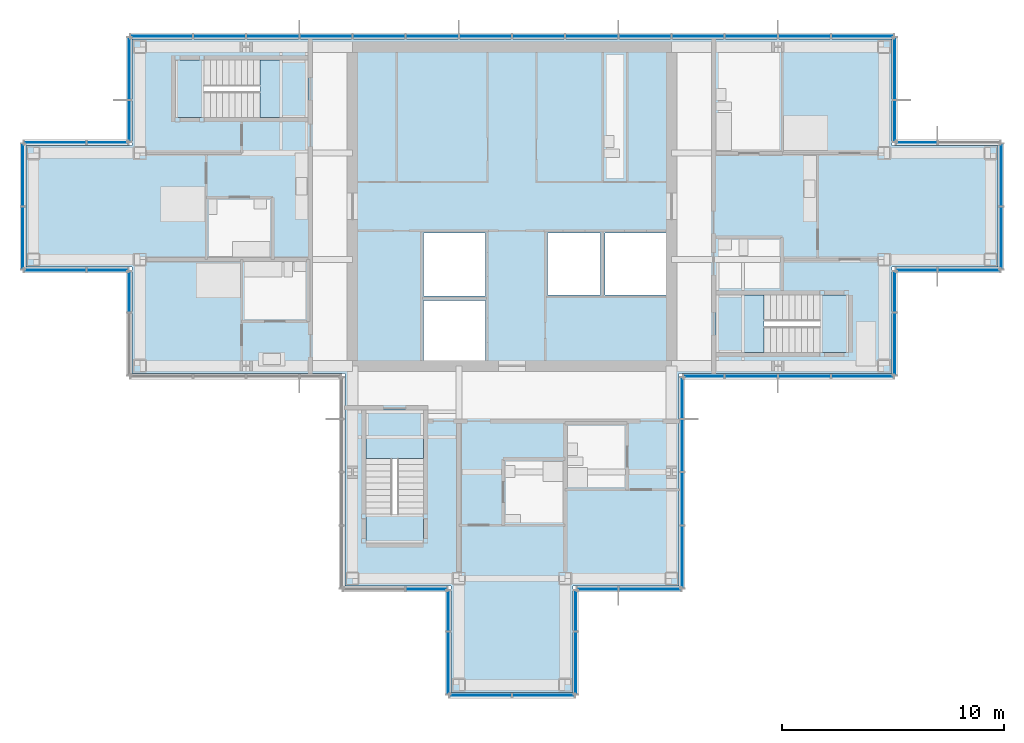
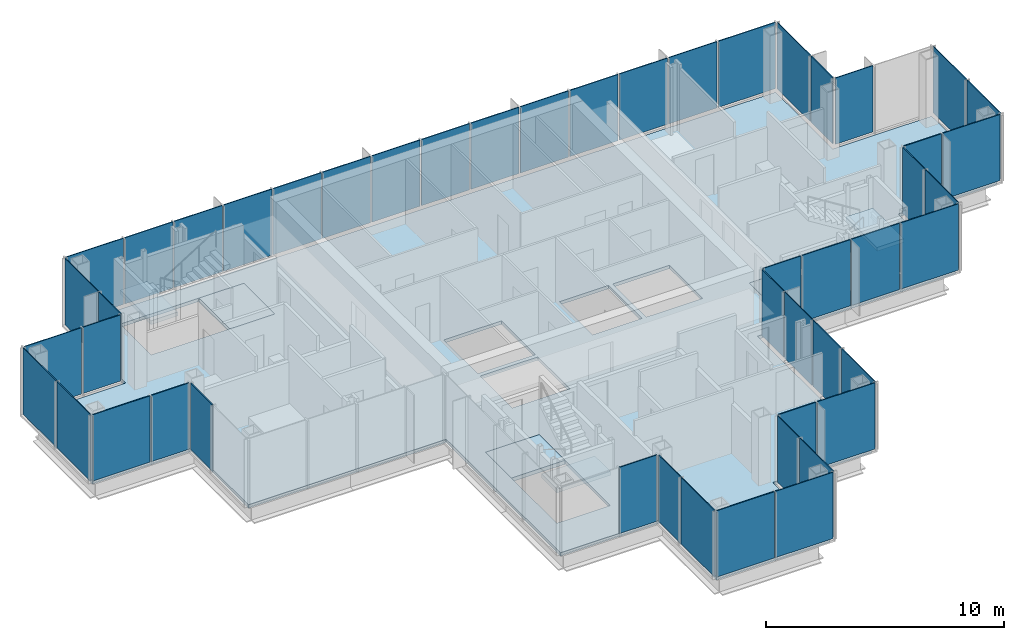
# One storey, part 9 of 15: 49 plates, 7 slabs, 21 elements without a shape of their own.
"""IFC4 building model written with IfcOpenShell, lengths in metres."""

import ifcopenshell
import ifcopenshell.guid

model = None  # the IFC model being written
_history = None  # IfcOwnerHistory: only IFC2X3 demands one
_inside = {}  # id of a spatial element -> (the spatial element, [elements in it])
_under = {}  # id of a project, library or spatial element -> (it, [spatial elements below it])
_declared = {}  # id of a project -> (the project, [libraries it declares])
_typed = {}  # id of a type object -> (the type object, [elements of that type])
_made_of = {}  # id of a material, layer set ... -> (it, [elements and type objects made of it])


def new_model(schema):
    """Start an empty IFC model of exactly this schema.

    Asked for "IFC4X3", IfcOpenShell would pick the latest addendum, in which some entities
    have other attributes; the version numbers below select the first issue.
    IFC2X3 requires an IfcOwnerHistory on every rooted entity: one is made here for all.
    """
    global model, _history
    if schema == "IFC4X3":
        model = ifcopenshell.file(schema_version=(4, 3, 0, 0))
    else:
        model = ifcopenshell.file(schema=schema)
    _inside.clear()
    _under.clear()
    _declared.clear()
    _typed.clear()
    _made_of.clear()
    _history = None
    if model.schema == "IFC2X3":
        org = make("IfcOrganization", Name="unknown")
        user = make(
            "IfcPersonAndOrganization",
            ThePerson=make("IfcPerson", FamilyName="unknown"),
            TheOrganization=org,
        )
        app = make(
            "IfcApplication",
            ApplicationDeveloper=org,
            Version="unknown",
            ApplicationFullName="unknown",
            ApplicationIdentifier="unknown",
        )
        _history = make(
            "IfcOwnerHistory",
            OwningUser=user,
            OwningApplication=app,
            ChangeAction="ADDED",
            CreationDate=0,
        )
    return model


def make(cls, **values):
    """One entity of the class cls with the attributes given. An attribute that is None is left unset."""
    return model.create_entity(
        cls, **{name: value for name, value in values.items() if value is not None}
    )


def rooted(cls, **values):
    """An entity with a GlobalId (a new one), such as an element, a storey or a relation."""
    return make(cls, GlobalId=ifcopenshell.guid.new(), OwnerHistory=_history, **values)


def si_unit(unit_type, name, prefix=None):
    """IfcSIUnit, for example si_unit("LENGTHUNIT", "METRE", prefix="MILLI")."""
    return make("IfcSIUnit", UnitType=unit_type, Prefix=prefix, Name=name)


def assignment(units):
    """IfcUnitAssignment: the units of a project."""
    return None if units is None else make("IfcUnitAssignment", Units=units)


def point(xyz):
    """IfcCartesianPoint."""
    return None if xyz is None else make("IfcCartesianPoint", Coordinates=xyz)


def direction(xyz):
    """IfcDirection."""
    return None if xyz is None else make("IfcDirection", DirectionRatios=xyz)


def frame(location, z_axis=None, x_axis=None):
    """IfcAxis2Placement3D, a coordinate frame: its origin and axes. An axis left out is left unset."""
    return make(
        "IfcAxis2Placement3D",
        Location=point(location),
        Axis=direction(z_axis),
        RefDirection=direction(x_axis),
    )


def frame_2d(location, x_axis=None):
    """IfcAxis2Placement2D, a coordinate frame in the plane: its origin and x axis."""
    return make(
        "IfcAxis2Placement2D", Location=point(location), RefDirection=direction(x_axis)
    )


def origin():
    """The frame at (0, 0, 0) with its axes left unset."""
    return frame((0.0, 0.0, 0.0))


def origin_2d():
    """The frame at (0, 0) in the plane with its x axis left unset."""
    return frame_2d((0.0, 0.0))


def place(relative_to, where):
    """IfcLocalPlacement: puts the frame where relative to a parent placement (None: the world)."""
    return make(
        "IfcLocalPlacement", PlacementRelTo=relative_to, RelativePlacement=where
    )


def context(
    kind, dimensions, precision=None, world=None, true_north=None, identifier=None
):
    """IfcGeometricRepresentationContext, for example the 3D "Model" context."""
    return make(
        "IfcGeometricRepresentationContext",
        ContextIdentifier=identifier,
        ContextType=kind,
        CoordinateSpaceDimension=dimensions,
        Precision=precision,
        WorldCoordinateSystem=world,
        TrueNorth=true_north,
    )


def subcontext(parent, identifier, kind, view, scale=None):
    """IfcGeometricRepresentationSubContext, for example "Body" below "Model"."""
    return make(
        "IfcGeometricRepresentationSubContext",
        ContextIdentifier=identifier,
        ContextType=kind,
        ParentContext=parent,
        TargetScale=scale,
        TargetView=view,
    )


def project(units=None, contexts=None):
    """IfcProject with its units and contexts."""
    return rooted(
        "IfcProject",
        Name="project",
        RepresentationContexts=contexts,
        UnitsInContext=assignment(units),
    )


def spatial(cls, under=None, at=None, **own):
    """A site, building, storey or space (cls), placed at a placement, below another one or the project."""
    s = rooted(cls, ObjectPlacement=at, **own)
    if under is not None:
        _under.setdefault(under.id(), (under, []))[1].append(s)
    return s


def polyline(points):
    """IfcPolyline through the points."""
    return make("IfcPolyline", Points=[point(p) for p in points])


def profile(cls, at=None, kind="AREA", **sizes):
    """A parametric profile (cls). Its sizes go by their IFC names, for example OverallWidth=200.0."""
    return make(cls, ProfileType=kind, Position=at, **sizes)


def rectangle(**sizes):
    """IfcRectangleProfileDef."""
    return profile("IfcRectangleProfileDef", **sizes)


def outline(outer, holes=None, kind="AREA"):
    """IfcArbitraryClosedProfileDef: a profile drawn as a closed curve; with holes, ...WithVoids."""
    if holes is None:
        return make("IfcArbitraryClosedProfileDef", ProfileType=kind, OuterCurve=outer)
    return make(
        "IfcArbitraryProfileDefWithVoids",
        ProfileType=kind,
        OuterCurve=outer,
        InnerCurves=holes,
    )


def extrude(swept, where, along, depth):
    """IfcExtrudedAreaSolid: the profile swept, set in the frame where, extruded along a direction by depth."""
    return make(
        "IfcExtrudedAreaSolid",
        SweptArea=swept,
        Position=where,
        ExtrudedDirection=direction(along),
        Depth=depth,
    )


def shape(context_of_items, identifier, shape_type, items):
    """IfcShapeRepresentation: the items that make up one representation, for example the "Body"."""
    return make(
        "IfcShapeRepresentation",
        ContextOfItems=context_of_items,
        RepresentationIdentifier=identifier,
        RepresentationType=shape_type,
        Items=items,
    )


def material(Name=None, Category=None):
    """IfcMaterial."""
    return make("IfcMaterial", Name=Name, Category=Category)


def layer(
    of_material, thickness, ventilated=None, Name=None, Category=None, Priority=None
):
    """IfcMaterialLayer: one layer of a wall or slab, of a material (None: an air gap)."""
    return make(
        "IfcMaterialLayer",
        Material=of_material,
        LayerThickness=thickness,
        IsVentilated=ventilated,
        Name=Name,
        Category=Category,
        Priority=Priority,
    )


def layer_set(layers, Name=None):
    """IfcMaterialLayerSet."""
    return make("IfcMaterialLayerSet", MaterialLayers=layers, LayerSetName=Name)


def made_of(thing, what):
    """Note that an element or type object is made of a material, layer set ...; save() writes the relation."""
    if what is not None:
        _made_of.setdefault(what.id(), (what, []))[1].append(thing)
    return thing


def type_object(cls, material=None, **own):
    """A type object (cls), such as IfcWallType, which elements share."""
    return made_of(rooted(cls, **own), material)


def element(
    cls,
    number,
    at=None,
    inside=None,
    cuts=None,
    type_object=None,
    material=None,
    context=None,
    identifier="Body",
    shape_type=None,
    held_by="IfcProductDefinitionShape",
    body=None,
    shapes=None,
    **own,
):
    """One element of the class cls, such as IfcWall. Its Tag is "e" and its number.

    at: its placement. inside: the storey or other place that contains it. cuts: it is an
    opening in that element (IfcRelVoidsElement). A single representation is given by context,
    identifier, shape_type and body (its items); several are given by shapes. held_by: the class
    of the entity that holds the representations. save() writes the other relations.
    """
    e = rooted(cls, Tag="e%d" % number, ObjectPlacement=at, **own)
    if body is not None:
        shapes = [shape(context, identifier, shape_type, body)]
    if shapes is not None:
        e.Representation = make(held_by, Representations=shapes)
    if inside is not None:
        _inside.setdefault(inside.id(), (inside, []))[1].append(e)
    if cuts is not None:
        rooted(
            "IfcRelVoidsElement", RelatingBuildingElement=cuts, RelatedOpeningElement=e
        )
    if type_object is not None:
        _typed.setdefault(type_object.id(), (type_object, []))[1].append(e)
    return made_of(e, material)


def aggregate(whole, parts):
    """IfcRelAggregates: a whole, such as a stair, and the parts it consists of."""
    return rooted("IfcRelAggregates", RelatingObject=whole, RelatedObjects=parts)


def save(model, path):
    """Write the relations noted so far, then the file.

    IfcRelAggregates (storeys below a building ...), IfcRelContainedInSpatialStructure (elements
    in a storey), IfcRelDefinesByType, IfcRelAssociatesMaterial and IfcRelDeclares: one each for
    every whole, place, type object, material and project.
    """
    for whole, parts in _under.values():
        aggregate(whole, parts)
    for where, things in _inside.values():
        rooted(
            "IfcRelContainedInSpatialStructure",
            RelatedElements=things,
            RelatingStructure=where,
        )
    for kind, things in _typed.values():
        rooted("IfcRelDefinesByType", RelatedObjects=things, RelatingType=kind)
    for what, things in _made_of.values():
        rooted("IfcRelAssociatesMaterial", RelatedObjects=things, RelatingMaterial=what)
    for by, libraries in _declared.values():
        rooted("IfcRelDeclares", RelatingContext=by, RelatedDefinitions=libraries)
    model.write(path)


model = new_model("IFC4")

# Units and contexts
model_context = context("Model", 3, precision=1e-05, world=origin(), true_north=direction((0.0, 1.0)))
body_context = subcontext(model_context, "Body", "Model", "MODEL_VIEW")
ifc_project = project(units=[si_unit("LENGTHUNIT", "METRE"), si_unit("AREAUNIT", "SQUARE_METRE"), si_unit("VOLUMEUNIT", "CUBIC_METRE"), si_unit("PLANEANGLEUNIT", "RADIAN"), si_unit("MASSUNIT", "GRAM", prefix="KILO")], contexts=[model_context])

# Site, building, storey
site_placement = place(None, origin())
site = spatial("IfcSite", under=ifc_project, at=site_placement, CompositionType="ELEMENT")
building_placement = place(site_placement, origin())
building = spatial("IfcBuilding", under=site, at=building_placement, Name="Kvirike Care Tower", CompositionType="ELEMENT")
storey_placement = place(building_placement, frame((0.0, 0.0, 212.0)))
storey = spatial("IfcBuildingStorey", under=building, at=storey_placement, Name="L58", CompositionType="ELEMENT", Elevation=212.0)

# Slab
ifc_material_1 = material(Name="Concrete C35/45", Category="concrete")
ifc_layer_1 = layer(ifc_material_1, 0.169921875)
ifc_layer_set_1 = layer_set([ifc_layer_1], Name="FLOOR SLAB 170")
slab_type_1 = type_object("IfcSlabType", Name="FLOOR SLAB 170", PredefinedType="FLOOR", material=ifc_layer_set_1)
slab_1_placement = place(storey_placement, frame((0.0, 0.0, -0.169921875)))
element("IfcSlab", 1, at=slab_1_placement, inside=storey, type_object=slab_type_1, Name="Floor slab L58", PredefinedType="FLOOR", context=body_context, shape_type="SweptSolid", body=[
    extrude(outline(polyline([(29.14990234375, 28.449951171875), (38.75, 28.449951171875), (38.75, 33.25), (43.550048828125, 33.25), (43.550048828125, 38.75), (38.75, 38.75), (38.75, 43.550048828125), (4.449951171875, 43.550048828125), (4.449951171875, 38.75), (-0.35009765625, 38.75), (-0.35009765625, 33.25), (4.449951171875, 33.25), (4.449951171875, 28.449951171875), (14.050048828125, 28.449951171875), (14.050048828125, 18.85009765625), (18.85009765625, 18.85009765625), (18.85009765625, 14.050048828125), (24.35009765625, 14.050048828125), (24.35009765625, 18.85009765625), (29.14990234375, 18.85009765625), (29.14990234375, 28.449951171875)]), holes=[polyline([(17.60009765625, 29.050048828125), (17.60009765625, 31.75), (20.39990234375, 31.75), (20.39990234375, 29.050048828125), (17.60009765625, 29.050048828125)]), polyline([(17.60009765625, 31.949951171875), (17.60009765625, 34.800048828125), (20.39990234375, 34.800048828125), (20.39990234375, 31.949951171875), (17.60009765625, 31.949951171875)]), polyline([(23.199951171875, 32.0), (23.199951171875, 34.800048828125), (25.60009765625, 34.800048828125), (25.60009765625, 32.0), (23.199951171875, 32.0)]), polyline([(25.800048828125, 32.0), (25.800048828125, 34.800048828125), (28.550048828125, 34.800048828125), (28.550048828125, 32.0), (25.800048828125, 32.0)]), polyline([(12.39990234375, 42.60009765625), (12.39990234375, 40.0), (6.39990234375, 40.0), (6.39990234375, 42.60009765625), (12.39990234375, 42.60009765625)]), polyline([(30.800048828125, 29.39990234375), (30.800048828125, 32.0), (36.800048828125, 32.0), (36.800048828125, 29.39990234375), (30.800048828125, 29.39990234375)]), polyline([(15.0, 26.800048828125), (17.60009765625, 26.800048828125), (17.60009765625, 20.800048828125), (15.0, 20.800048828125), (15.0, 26.800048828125)])]), origin(), (0.0, 0.0, 1.0), 0.169921875),
])

# Stair, slabs
ifc_material_2 = material(Name="Concrete C35/45", Category="concrete")
stair_type = type_object("IfcStairType", Name="STAIR 20 RISERS", PredefinedType="HALF_TURN_STAIR", material=ifc_material_2)
stair_1_placement = place(storey_placement, origin())
stair_1 = element("IfcStair", 2, at=stair_1_placement, inside=storey, type_object=stair_type, Name="Stair 1 L58", PredefinedType="HALF_TURN_STAIR")
ifc_material_3 = material(Name="Concrete C35/45", Category="concrete")
ifc_layer_2 = layer(ifc_material_3, 0.199951171875)
ifc_layer_set_2 = layer_set([ifc_layer_2], Name="STAIR LANDING 200")
slab_type_2 = type_object("IfcSlabType", Name="STAIR LANDING 200", PredefinedType="LANDING", material=ifc_layer_set_2)
slab_2_placement = place(storey_placement, frame((0.0, 0.0, -0.199951171875)))
slab_2 = element("IfcSlab", 3, at=slab_2_placement, type_object=slab_type_2, Name="Stair S1 floor landing L58", PredefinedType="LANDING", context=body_context, shape_type="SweptSolid", body=[
    extrude(outline(polyline([(10.219970703125, 42.60009765625), (10.219970703125, 40.0), (12.39990234375, 40.0), (12.39990234375, 42.60009765625), (10.219970703125, 42.60009765625)])), origin(), (0.0, 0.0, 1.0), 0.199951171875),
])
slab_3_placement = place(storey_placement, frame((0.0, 0.0, 1.550048828125)))
slab_3 = element("IfcSlab", 4, at=slab_3_placement, type_object=slab_type_2, Name="Stair S1 half landing L58-L59", PredefinedType="LANDING", context=body_context, shape_type="SweptSolid", body=[
    extrude(outline(polyline([(6.39990234375, 42.60009765625), (6.39990234375, 40.0), (7.699951171875, 40.0), (7.699951171875, 42.60009765625), (6.39990234375, 42.60009765625)])), origin(), (0.0, 0.0, 1.0), 0.199951171875),
])
aggregate(stair_1, [slab_2, slab_3])

stair_2_placement = place(storey_placement, origin())
stair_2 = element("IfcStair", 5, at=stair_2_placement, inside=storey, type_object=stair_type, Name="Stair 2 L58", PredefinedType="HALF_TURN_STAIR")
slab_4_placement = place(storey_placement, frame((0.0, 0.0, -0.199951171875)))
slab_4 = element("IfcSlab", 6, at=slab_4_placement, type_object=slab_type_2, Name="Stair S2 floor landing L58", PredefinedType="LANDING", context=body_context, shape_type="SweptSolid", body=[
    extrude(outline(polyline([(32.97998046875, 29.39990234375), (32.97998046875, 32.0), (30.800048828125, 32.0), (30.800048828125, 29.39990234375), (32.97998046875, 29.39990234375)])), origin(), (0.0, 0.0, 1.0), 0.199951171875),
])
slab_5_placement = place(storey_placement, frame((0.0, 0.0, 1.550048828125)))
slab_5 = element("IfcSlab", 7, at=slab_5_placement, type_object=slab_type_2, Name="Stair S2 half landing L58-L59", PredefinedType="LANDING", context=body_context, shape_type="SweptSolid", body=[
    extrude(outline(polyline([(36.800048828125, 29.39990234375), (36.800048828125, 32.0), (35.5, 32.0), (35.5, 29.39990234375), (36.800048828125, 29.39990234375)])), origin(), (0.0, 0.0, 1.0), 0.199951171875),
])
aggregate(stair_2, [slab_4, slab_5])

stair_3_placement = place(storey_placement, origin())
stair_3 = element("IfcStair", 8, at=stair_3_placement, inside=storey, type_object=stair_type, Name="Stair 5 L58", PredefinedType="HALF_TURN_STAIR")
slab_6_placement = place(storey_placement, frame((0.0, 0.0, -0.199951171875)))
slab_6 = element("IfcSlab", 9, at=slab_6_placement, type_object=slab_type_2, Name="Stair S5 floor landing L58", PredefinedType="LANDING", context=body_context, shape_type="SweptSolid", body=[
    extrude(outline(polyline([(15.0, 24.6201171875), (17.60009765625, 24.6201171875), (17.60009765625, 26.800048828125), (15.0, 26.800048828125), (15.0, 24.6201171875)])), origin(), (0.0, 0.0, 1.0), 0.199951171875),
])
slab_7_placement = place(storey_placement, frame((0.0, 0.0, 1.550048828125)))
slab_7 = element("IfcSlab", 10, at=slab_7_placement, type_object=slab_type_2, Name="Stair S5 half landing L58-L59", PredefinedType="LANDING", context=body_context, shape_type="SweptSolid", body=[
    extrude(outline(polyline([(15.0, 20.800048828125), (17.60009765625, 20.800048828125), (17.60009765625, 22.10009765625), (15.0, 22.10009765625), (15.0, 20.800048828125)])), origin(), (0.0, 0.0, 1.0), 0.199951171875),
])
aggregate(stair_3, [slab_6, slab_7])

# Curtain wall, plates
ifc_material_4 = material(Name="Anodised aluminium stick system", Category="aluminium")
curtain_wall_type = type_object("IfcCurtainWallType", Name="CW-D STICK CURTAIN WALL", PredefinedType="NOTDEFINED", material=ifc_material_4)
curtain_wall_1_placement = place(storey_placement, origin())
curtain_wall_1 = element("IfcCurtainWall", 11, at=curtain_wall_1_placement, inside=storey, type_object=curtain_wall_type, Name="Curtain wall L58 face 1", PredefinedType="NOTDEFINED")
ifc_material_5 = material(Name="Tinted double glazed unit", Category="glass")
ifc_layer_3 = layer(ifc_material_5, 0.0439453125)
ifc_layer_set_3 = layer_set([ifc_layer_3], Name="TINTED VISION PANEL 44")
plate_type = type_object("IfcPlateType", Name="TINTED VISION PANEL 44", PredefinedType="CURTAIN_PANEL", material=ifc_layer_set_3)
plate_1_placement = place(storey_placement, frame((30.25634765625, 28.320068359375, 0.10009765625), z_axis=(0.0, 0.0, 1.0), x_axis=(1.0, 0.0, 0.0)))
plate_1 = element("IfcPlate", 12, at=plate_1_placement, type_object=plate_type, Name="CW-D panel L58 face 1.1", PredefinedType="CURTAIN_PANEL", context=body_context, shape_type="SweptSolid", body=[
    extrude(rectangle(XDim=1.822509765625, YDim=0.0439453125, at=origin_2d()), origin(), (0.0, 0.0, 1.0), 3.39990234375),
])
plate_2_placement = place(storey_placement, frame((32.39990234375, 28.320068359375, 0.10009765625), z_axis=(0.0, 0.0, 1.0), x_axis=(1.0, 0.0, 0.0)))
plate_2 = element("IfcPlate", 13, at=plate_2_placement, type_object=plate_type, Name="CW-D panel L58 face 1.2", PredefinedType="CURTAIN_PANEL", context=body_context, shape_type="SweptSolid", body=[
    extrude(rectangle(XDim=2.3349609375, YDim=0.0439453125, at=origin_2d()), origin(), (0.0, 0.0, 1.0), 3.39990234375),
])
plate_3_placement = place(storey_placement, frame((34.800048828125, 28.320068359375, 0.10009765625), z_axis=(0.0, 0.0, 1.0), x_axis=(1.0, 0.0, 0.0)))
plate_3 = element("IfcPlate", 14, at=plate_3_placement, type_object=plate_type, Name="CW-D panel L58 face 1.3", PredefinedType="CURTAIN_PANEL", context=body_context, shape_type="SweptSolid", body=[
    extrude(rectangle(XDim=2.3349609375, YDim=0.0439453125, at=origin_2d()), origin(), (0.0, 0.0, 1.0), 3.39990234375),
])
plate_4_placement = place(storey_placement, frame((37.423828125, 28.320068359375, 0.10009765625), z_axis=(0.0, 0.0, 1.0), x_axis=(1.0, 0.0, 0.0)))
plate_4 = element("IfcPlate", 15, at=plate_4_placement, type_object=plate_type, Name="CW-D panel L58 face 1.4", PredefinedType="CURTAIN_PANEL", context=body_context, shape_type="SweptSolid", body=[
    extrude(rectangle(XDim=2.782470703125, YDim=0.0439453125, at=origin_2d()), origin(), (0.0, 0.0, 1.0), 3.39990234375),
])
aggregate(curtain_wall_1, [plate_1, plate_2, plate_3, plate_4])

curtain_wall_2_placement = place(storey_placement, origin())
curtain_wall_2 = element("IfcCurtainWall", 16, at=curtain_wall_2_placement, inside=storey, type_object=curtain_wall_type, Name="Curtain wall L58 face 2", PredefinedType="NOTDEFINED")
plate_5_placement = place(storey_placement, frame((38.8798828125, 29.7763671875, 0.10009765625), z_axis=(0.0, 0.0, 1.0), x_axis=(0.0, 1.0, 0.0)))
plate_5 = element("IfcPlate", 17, at=plate_5_placement, type_object=plate_type, Name="CW-D panel L58 face 2.1", PredefinedType="CURTAIN_PANEL", context=body_context, shape_type="SweptSolid", body=[
    extrude(rectangle(XDim=2.782470703125, YDim=0.0439453125, at=origin_2d()), origin(), (0.0, 0.0, 1.0), 3.39990234375),
])
plate_6_placement = place(storey_placement, frame((38.8798828125, 32.143798828125, 0.10009765625), z_axis=(0.0, 0.0, 1.0), x_axis=(0.0, 1.0, 0.0)))
plate_6 = element("IfcPlate", 18, at=plate_6_placement, type_object=plate_type, Name="CW-D panel L58 face 2.2", PredefinedType="CURTAIN_PANEL", context=body_context, shape_type="SweptSolid", body=[
    extrude(rectangle(XDim=1.822509765625, YDim=0.0439453125, at=origin_2d()), origin(), (0.0, 0.0, 1.0), 3.39990234375),
])
aggregate(curtain_wall_2, [plate_5, plate_6])

curtain_wall_3_placement = place(storey_placement, origin())
curtain_wall_3 = element("IfcCurtainWall", 19, at=curtain_wall_3_placement, inside=storey, type_object=curtain_wall_type, Name="Curtain wall L58 face 3", PredefinedType="NOTDEFINED")
plate_7_placement = place(storey_placement, frame((39.856201171875, 33.1201171875, 0.10009765625), z_axis=(0.0, 0.0, 1.0), x_axis=(1.0, 0.0, 0.0)))
plate_7 = element("IfcPlate", 20, at=plate_7_placement, type_object=plate_type, Name="CW-D panel L58 face 3.1", PredefinedType="CURTAIN_PANEL", context=body_context, shape_type="SweptSolid", body=[
    extrude(rectangle(XDim=1.822509765625, YDim=0.0439453125, at=origin_2d()), origin(), (0.0, 0.0, 1.0), 3.39990234375),
])
plate_8_placement = place(storey_placement, frame((42.2236328125, 33.1201171875, 0.10009765625), z_axis=(0.0, 0.0, 1.0), x_axis=(1.0, 0.0, 0.0)))
plate_8 = element("IfcPlate", 21, at=plate_8_placement, type_object=plate_type, Name="CW-D panel L58 face 3.2", PredefinedType="CURTAIN_PANEL", context=body_context, shape_type="SweptSolid", body=[
    extrude(rectangle(XDim=2.782470703125, YDim=0.0439453125, at=origin_2d()), origin(), (0.0, 0.0, 1.0), 3.39990234375),
])
aggregate(curtain_wall_3, [plate_7, plate_8])

curtain_wall_4_placement = place(storey_placement, origin())
curtain_wall_4 = element("IfcCurtainWall", 22, at=curtain_wall_4_placement, inside=storey, type_object=curtain_wall_type, Name="Curtain wall L58 face 4", PredefinedType="NOTDEFINED")
plate_9_placement = place(storey_placement, frame((43.679931640625, 34.576171875, 0.10009765625), z_axis=(0.0, 0.0, 1.0), x_axis=(0.0, 1.0, 0.0)))
plate_9 = element("IfcPlate", 23, at=plate_9_placement, type_object=plate_type, Name="CW-D panel L58 face 4.1", PredefinedType="CURTAIN_PANEL", context=body_context, shape_type="SweptSolid", body=[
    extrude(rectangle(XDim=2.782470703125, YDim=0.0439453125, at=origin_2d()), origin(), (0.0, 0.0, 1.0), 3.39990234375),
])
plate_10_placement = place(storey_placement, frame((43.679931640625, 37.423828125, 0.10009765625), z_axis=(0.0, 0.0, 1.0), x_axis=(0.0, 1.0, 0.0)))
plate_10 = element("IfcPlate", 24, at=plate_10_placement, type_object=plate_type, Name="CW-D panel L58 face 4.2", PredefinedType="CURTAIN_PANEL", context=body_context, shape_type="SweptSolid", body=[
    extrude(rectangle(XDim=2.782470703125, YDim=0.0439453125, at=origin_2d()), origin(), (0.0, 0.0, 1.0), 3.39990234375),
])
aggregate(curtain_wall_4, [plate_9, plate_10])

# Curtain wall, plate
curtain_wall_5_placement = place(storey_placement, origin())
curtain_wall_5 = element("IfcCurtainWall", 25, at=curtain_wall_5_placement, inside=storey, type_object=curtain_wall_type, Name="Curtain wall L58 face 5", PredefinedType="NOTDEFINED")
plate_11_placement = place(storey_placement, frame((39.856201171875, 38.8798828125, 0.10009765625), z_axis=(0.0, 0.0, 1.0), x_axis=(-1.0, 0.0, 0.0)))
plate_11 = element("IfcPlate", 26, at=plate_11_placement, type_object=plate_type, Name="CW-D panel L58 face 5.2", PredefinedType="CURTAIN_PANEL", context=body_context, shape_type="SweptSolid", body=[
    extrude(rectangle(XDim=1.822509765625, YDim=0.0439453125, at=origin_2d()), origin(), (0.0, 0.0, 1.0), 3.39990234375),
])
aggregate(curtain_wall_5, [plate_11])

# Curtain wall, plates
curtain_wall_6_placement = place(storey_placement, origin())
curtain_wall_6 = element("IfcCurtainWall", 27, at=curtain_wall_6_placement, inside=storey, type_object=curtain_wall_type, Name="Curtain wall L58 face 6", PredefinedType="NOTDEFINED")
plate_12_placement = place(storey_placement, frame((38.8798828125, 39.856201171875, 0.10009765625), z_axis=(0.0, 0.0, 1.0), x_axis=(0.0, 1.0, 0.0)))
plate_12 = element("IfcPlate", 28, at=plate_12_placement, type_object=plate_type, Name="CW-D panel L58 face 6.1", PredefinedType="CURTAIN_PANEL", context=body_context, shape_type="SweptSolid", body=[
    extrude(rectangle(XDim=1.822509765625, YDim=0.0439453125, at=origin_2d()), origin(), (0.0, 0.0, 1.0), 3.39990234375),
])
plate_13_placement = place(storey_placement, frame((38.8798828125, 42.2236328125, 0.10009765625), z_axis=(0.0, 0.0, 1.0), x_axis=(0.0, 1.0, 0.0)))
plate_13 = element("IfcPlate", 29, at=plate_13_placement, type_object=plate_type, Name="CW-D panel L58 face 6.2", PredefinedType="CURTAIN_PANEL", context=body_context, shape_type="SweptSolid", body=[
    extrude(rectangle(XDim=2.782470703125, YDim=0.0439453125, at=origin_2d()), origin(), (0.0, 0.0, 1.0), 3.39990234375),
])
aggregate(curtain_wall_6, [plate_12, plate_13])

curtain_wall_7_placement = place(storey_placement, origin())
curtain_wall_7 = element("IfcCurtainWall", 30, at=curtain_wall_7_placement, inside=storey, type_object=curtain_wall_type, Name="Curtain wall L58 face 7", PredefinedType="NOTDEFINED")
plate_14_placement = place(storey_placement, frame((37.423828125, 43.679931640625, 0.10009765625), z_axis=(0.0, 0.0, 1.0), x_axis=(-1.0, 0.0, 0.0)))
plate_14 = element("IfcPlate", 31, at=plate_14_placement, type_object=plate_type, Name="CW-D panel L58 face 7.1", PredefinedType="CURTAIN_PANEL", context=body_context, shape_type="SweptSolid", body=[
    extrude(rectangle(XDim=2.782470703125, YDim=0.0439453125, at=origin_2d()), origin(), (0.0, 0.0, 1.0), 3.39990234375),
])
plate_15_placement = place(storey_placement, frame((34.800048828125, 43.679931640625, 0.10009765625), z_axis=(0.0, 0.0, 1.0), x_axis=(-1.0, 0.0, 0.0)))
plate_15 = element("IfcPlate", 32, at=plate_15_placement, type_object=plate_type, Name="CW-D panel L58 face 7.2", PredefinedType="CURTAIN_PANEL", context=body_context, shape_type="SweptSolid", body=[
    extrude(rectangle(XDim=2.3349609375, YDim=0.0439453125, at=origin_2d()), origin(), (0.0, 0.0, 1.0), 3.39990234375),
])
plate_16_placement = place(storey_placement, frame((32.39990234375, 43.679931640625, 0.10009765625), z_axis=(0.0, 0.0, 1.0), x_axis=(-1.0, 0.0, 0.0)))
plate_16 = element("IfcPlate", 33, at=plate_16_placement, type_object=plate_type, Name="CW-D panel L58 face 7.3", PredefinedType="CURTAIN_PANEL", context=body_context, shape_type="SweptSolid", body=[
    extrude(rectangle(XDim=2.3349609375, YDim=0.0439453125, at=origin_2d()), origin(), (0.0, 0.0, 1.0), 3.39990234375),
])
plate_17_placement = place(storey_placement, frame((30.0, 43.679931640625, 0.10009765625), z_axis=(0.0, 0.0, 1.0), x_axis=(-1.0, 0.0, 0.0)))
plate_17 = element("IfcPlate", 34, at=plate_17_placement, type_object=plate_type, Name="CW-D panel L58 face 7.4", PredefinedType="CURTAIN_PANEL", context=body_context, shape_type="SweptSolid", body=[
    extrude(rectangle(XDim=2.3349609375, YDim=0.0439453125, at=origin_2d()), origin(), (0.0, 0.0, 1.0), 3.39990234375),
])
plate_18_placement = place(storey_placement, frame((27.60009765625, 43.679931640625, 0.10009765625), z_axis=(0.0, 0.0, 1.0), x_axis=(-1.0, 0.0, 0.0)))
plate_18 = element("IfcPlate", 35, at=plate_18_placement, type_object=plate_type, Name="CW-D panel L58 face 7.5", PredefinedType="CURTAIN_PANEL", context=body_context, shape_type="SweptSolid", body=[
    extrude(rectangle(XDim=2.3349609375, YDim=0.0439453125, at=origin_2d()), origin(), (0.0, 0.0, 1.0), 3.39990234375),
])
plate_19_placement = place(storey_placement, frame((25.199951171875, 43.679931640625, 0.10009765625), z_axis=(0.0, 0.0, 1.0), x_axis=(-1.0, 0.0, 0.0)))
plate_19 = element("IfcPlate", 36, at=plate_19_placement, type_object=plate_type, Name="CW-D panel L58 face 7.6", PredefinedType="CURTAIN_PANEL", context=body_context, shape_type="SweptSolid", body=[
    extrude(rectangle(XDim=2.3349609375, YDim=0.0439453125, at=origin_2d()), origin(), (0.0, 0.0, 1.0), 3.39990234375),
])
plate_20_placement = place(storey_placement, frame((22.800048828125, 43.679931640625, 0.10009765625), z_axis=(0.0, 0.0, 1.0), x_axis=(-1.0, 0.0, 0.0)))
plate_20 = element("IfcPlate", 37, at=plate_20_placement, type_object=plate_type, Name="CW-D panel L58 face 7.7", PredefinedType="CURTAIN_PANEL", context=body_context, shape_type="SweptSolid", body=[
    extrude(rectangle(XDim=2.3349609375, YDim=0.0439453125, at=origin_2d()), origin(), (0.0, 0.0, 1.0), 3.39990234375),
])
plate_21_placement = place(storey_placement, frame((20.39990234375, 43.679931640625, 0.10009765625), z_axis=(0.0, 0.0, 1.0), x_axis=(-1.0, 0.0, 0.0)))
plate_21 = element("IfcPlate", 38, at=plate_21_placement, type_object=plate_type, Name="CW-D panel L58 face 7.8", PredefinedType="CURTAIN_PANEL", context=body_context, shape_type="SweptSolid", body=[
    extrude(rectangle(XDim=2.3349609375, YDim=0.0439453125, at=origin_2d()), origin(), (0.0, 0.0, 1.0), 3.39990234375),
])
plate_22_placement = place(storey_placement, frame((18.0, 43.679931640625, 0.10009765625), z_axis=(0.0, 0.0, 1.0), x_axis=(-1.0, 0.0, 0.0)))
plate_22 = element("IfcPlate", 39, at=plate_22_placement, type_object=plate_type, Name="CW-D panel L58 face 7.9", PredefinedType="CURTAIN_PANEL", context=body_context, shape_type="SweptSolid", body=[
    extrude(rectangle(XDim=2.3349609375, YDim=0.0439453125, at=origin_2d()), origin(), (0.0, 0.0, 1.0), 3.39990234375),
])
plate_23_placement = place(storey_placement, frame((15.60009765625, 43.679931640625, 0.10009765625), z_axis=(0.0, 0.0, 1.0), x_axis=(-1.0, 0.0, 0.0)))
plate_23 = element("IfcPlate", 40, at=plate_23_placement, type_object=plate_type, Name="CW-D panel L58 face 7.10", PredefinedType="CURTAIN_PANEL", context=body_context, shape_type="SweptSolid", body=[
    extrude(rectangle(XDim=2.3349609375, YDim=0.0439453125, at=origin_2d()), origin(), (0.0, 0.0, 1.0), 3.39990234375),
])
plate_24_placement = place(storey_placement, frame((13.199951171875, 43.679931640625, 0.10009765625), z_axis=(0.0, 0.0, 1.0), x_axis=(-1.0, 0.0, 0.0)))
plate_24 = element("IfcPlate", 41, at=plate_24_placement, type_object=plate_type, Name="CW-D panel L58 face 7.11", PredefinedType="CURTAIN_PANEL", context=body_context, shape_type="SweptSolid", body=[
    extrude(rectangle(XDim=2.3349609375, YDim=0.0439453125, at=origin_2d()), origin(), (0.0, 0.0, 1.0), 3.39990234375),
])
plate_25_placement = place(storey_placement, frame((10.800048828125, 43.679931640625, 0.10009765625), z_axis=(0.0, 0.0, 1.0), x_axis=(-1.0, 0.0, 0.0)))
plate_25 = element("IfcPlate", 42, at=plate_25_placement, type_object=plate_type, Name="CW-D panel L58 face 7.12", PredefinedType="CURTAIN_PANEL", context=body_context, shape_type="SweptSolid", body=[
    extrude(rectangle(XDim=2.3349609375, YDim=0.0439453125, at=origin_2d()), origin(), (0.0, 0.0, 1.0), 3.39990234375),
])
plate_26_placement = place(storey_placement, frame((8.39990234375, 43.679931640625, 0.10009765625), z_axis=(0.0, 0.0, 1.0), x_axis=(-1.0, 0.0, 0.0)))
plate_26 = element("IfcPlate", 43, at=plate_26_placement, type_object=plate_type, Name="CW-D panel L58 face 7.13", PredefinedType="CURTAIN_PANEL", context=body_context, shape_type="SweptSolid", body=[
    extrude(rectangle(XDim=2.3349609375, YDim=0.0439453125, at=origin_2d()), origin(), (0.0, 0.0, 1.0), 3.39990234375),
])
plate_27_placement = place(storey_placement, frame((5.7763671875, 43.679931640625, 0.10009765625), z_axis=(0.0, 0.0, 1.0), x_axis=(-1.0, 0.0, 0.0)))
plate_27 = element("IfcPlate", 44, at=plate_27_placement, type_object=plate_type, Name="CW-D panel L58 face 7.14", PredefinedType="CURTAIN_PANEL", context=body_context, shape_type="SweptSolid", body=[
    extrude(rectangle(XDim=2.782470703125, YDim=0.0439453125, at=origin_2d()), origin(), (0.0, 0.0, 1.0), 3.39990234375),
])
aggregate(curtain_wall_7, [plate_14, plate_15, plate_16, plate_17, plate_18, plate_19, plate_20, plate_21, plate_22, plate_23, plate_24, plate_25, plate_26, plate_27])

curtain_wall_8_placement = place(storey_placement, origin())
curtain_wall_8 = element("IfcCurtainWall", 45, at=curtain_wall_8_placement, inside=storey, type_object=curtain_wall_type, Name="Curtain wall L58 face 8", PredefinedType="NOTDEFINED")
plate_28_placement = place(storey_placement, frame((4.320068359375, 42.2236328125, 0.10009765625), z_axis=(0.0, 0.0, 1.0), x_axis=(0.0, -1.0, 0.0)))
plate_28 = element("IfcPlate", 46, at=plate_28_placement, type_object=plate_type, Name="CW-D panel L58 face 8.1", PredefinedType="CURTAIN_PANEL", context=body_context, shape_type="SweptSolid", body=[
    extrude(rectangle(XDim=2.782470703125, YDim=0.0439453125, at=origin_2d()), origin(), (0.0, 0.0, 1.0), 3.39990234375),
])
plate_29_placement = place(storey_placement, frame((4.320068359375, 39.856201171875, 0.10009765625), z_axis=(0.0, 0.0, 1.0), x_axis=(0.0, -1.0, 0.0)))
plate_29 = element("IfcPlate", 47, at=plate_29_placement, type_object=plate_type, Name="CW-D panel L58 face 8.2", PredefinedType="CURTAIN_PANEL", context=body_context, shape_type="SweptSolid", body=[
    extrude(rectangle(XDim=1.822509765625, YDim=0.0439453125, at=origin_2d()), origin(), (0.0, 0.0, 1.0), 3.39990234375),
])
aggregate(curtain_wall_8, [plate_28, plate_29])

curtain_wall_9_placement = place(storey_placement, origin())
curtain_wall_9 = element("IfcCurtainWall", 48, at=curtain_wall_9_placement, inside=storey, type_object=curtain_wall_type, Name="Curtain wall L58 face 9", PredefinedType="NOTDEFINED")
plate_30_placement = place(storey_placement, frame((3.34375, 38.8798828125, 0.10009765625), z_axis=(0.0, 0.0, 1.0), x_axis=(-1.0, 0.0, 0.0)))
plate_30 = element("IfcPlate", 49, at=plate_30_placement, type_object=plate_type, Name="CW-D panel L58 face 9.1", PredefinedType="CURTAIN_PANEL", context=body_context, shape_type="SweptSolid", body=[
    extrude(rectangle(XDim=1.822509765625, YDim=0.0439453125, at=origin_2d()), origin(), (0.0, 0.0, 1.0), 3.39990234375),
])
plate_31_placement = place(storey_placement, frame((0.976318359375, 38.8798828125, 0.10009765625), z_axis=(0.0, 0.0, 1.0), x_axis=(-1.0, 0.0, 0.0)))
plate_31 = element("IfcPlate", 50, at=plate_31_placement, type_object=plate_type, Name="CW-D panel L58 face 9.2", PredefinedType="CURTAIN_PANEL", context=body_context, shape_type="SweptSolid", body=[
    extrude(rectangle(XDim=2.782470703125, YDim=0.0439453125, at=origin_2d()), origin(), (0.0, 0.0, 1.0), 3.39990234375),
])
aggregate(curtain_wall_9, [plate_30, plate_31])

curtain_wall_10_placement = place(storey_placement, origin())
curtain_wall_10 = element("IfcCurtainWall", 51, at=curtain_wall_10_placement, inside=storey, type_object=curtain_wall_type, Name="Curtain wall L58 face 10", PredefinedType="NOTDEFINED")
plate_32_placement = place(storey_placement, frame((-0.47998046875, 37.423828125, 0.10009765625), z_axis=(0.0, 0.0, 1.0), x_axis=(0.0, -1.0, 0.0)))
plate_32 = element("IfcPlate", 52, at=plate_32_placement, type_object=plate_type, Name="CW-D panel L58 face 10.1", PredefinedType="CURTAIN_PANEL", context=body_context, shape_type="SweptSolid", body=[
    extrude(rectangle(XDim=2.782470703125, YDim=0.0439453125, at=origin_2d()), origin(), (0.0, 0.0, 1.0), 3.39990234375),
])
plate_33_placement = place(storey_placement, frame((-0.47998046875, 34.576171875, 0.10009765625), z_axis=(0.0, 0.0, 1.0), x_axis=(0.0, -1.0, 0.0)))
plate_33 = element("IfcPlate", 53, at=plate_33_placement, type_object=plate_type, Name="CW-D panel L58 face 10.2", PredefinedType="CURTAIN_PANEL", context=body_context, shape_type="SweptSolid", body=[
    extrude(rectangle(XDim=2.782470703125, YDim=0.0439453125, at=origin_2d()), origin(), (0.0, 0.0, 1.0), 3.39990234375),
])
aggregate(curtain_wall_10, [plate_32, plate_33])

curtain_wall_11_placement = place(storey_placement, origin())
curtain_wall_11 = element("IfcCurtainWall", 54, at=curtain_wall_11_placement, inside=storey, type_object=curtain_wall_type, Name="Curtain wall L58 face 11", PredefinedType="NOTDEFINED")
plate_34_placement = place(storey_placement, frame((0.976318359375, 33.1201171875, 0.10009765625), z_axis=(0.0, 0.0, 1.0), x_axis=(1.0, 0.0, 0.0)))
plate_34 = element("IfcPlate", 55, at=plate_34_placement, type_object=plate_type, Name="CW-D panel L58 face 11.1", PredefinedType="CURTAIN_PANEL", context=body_context, shape_type="SweptSolid", body=[
    extrude(rectangle(XDim=2.782470703125, YDim=0.0439453125, at=origin_2d()), origin(), (0.0, 0.0, 1.0), 3.39990234375),
])
plate_35_placement = place(storey_placement, frame((3.34375, 33.1201171875, 0.10009765625), z_axis=(0.0, 0.0, 1.0), x_axis=(1.0, 0.0, 0.0)))
plate_35 = element("IfcPlate", 56, at=plate_35_placement, type_object=plate_type, Name="CW-D panel L58 face 11.2", PredefinedType="CURTAIN_PANEL", context=body_context, shape_type="SweptSolid", body=[
    extrude(rectangle(XDim=1.822509765625, YDim=0.0439453125, at=origin_2d()), origin(), (0.0, 0.0, 1.0), 3.39990234375),
])
aggregate(curtain_wall_11, [plate_34, plate_35])

# Curtain wall, plate
curtain_wall_12_placement = place(storey_placement, origin())
curtain_wall_12 = element("IfcCurtainWall", 57, at=curtain_wall_12_placement, inside=storey, type_object=curtain_wall_type, Name="Curtain wall L58 face 12", PredefinedType="NOTDEFINED")
plate_36_placement = place(storey_placement, frame((4.320068359375, 32.143798828125, 0.10009765625), z_axis=(0.0, 0.0, 1.0), x_axis=(0.0, -1.0, 0.0)))
plate_36 = element("IfcPlate", 58, at=plate_36_placement, type_object=plate_type, Name="CW-D panel L58 face 12.1", PredefinedType="CURTAIN_PANEL", context=body_context, shape_type="SweptSolid", body=[
    extrude(rectangle(XDim=1.822509765625, YDim=0.0439453125, at=origin_2d()), origin(), (0.0, 0.0, 1.0), 3.39990234375),
])
aggregate(curtain_wall_12, [plate_36])

curtain_wall_13_placement = place(storey_placement, origin())
curtain_wall_13 = element("IfcCurtainWall", 59, at=curtain_wall_13_placement, inside=storey, type_object=curtain_wall_type, Name="Curtain wall L58 face 15", PredefinedType="NOTDEFINED")
plate_37_placement = place(storey_placement, frame((17.74365234375, 18.719970703125, 0.10009765625), z_axis=(0.0, 0.0, 1.0), x_axis=(1.0, 0.0, 0.0)))
plate_37 = element("IfcPlate", 60, at=plate_37_placement, type_object=plate_type, Name="CW-D panel L58 face 15.2", PredefinedType="CURTAIN_PANEL", context=body_context, shape_type="SweptSolid", body=[
    extrude(rectangle(XDim=1.822509765625, YDim=0.0439453125, at=origin_2d()), origin(), (0.0, 0.0, 1.0), 3.39990234375),
])
aggregate(curtain_wall_13, [plate_37])

# Curtain wall, plates
curtain_wall_14_placement = place(storey_placement, origin())
curtain_wall_14 = element("IfcCurtainWall", 61, at=curtain_wall_14_placement, inside=storey, type_object=curtain_wall_type, Name="Curtain wall L58 face 16", PredefinedType="NOTDEFINED")
plate_38_placement = place(storey_placement, frame((18.719970703125, 17.74365234375, 0.10009765625), z_axis=(0.0, 0.0, 1.0), x_axis=(0.0, -1.0, 0.0)))
plate_38 = element("IfcPlate", 62, at=plate_38_placement, type_object=plate_type, Name="CW-D panel L58 face 16.1", PredefinedType="CURTAIN_PANEL", context=body_context, shape_type="SweptSolid", body=[
    extrude(rectangle(XDim=1.822509765625, YDim=0.0439453125, at=origin_2d()), origin(), (0.0, 0.0, 1.0), 3.39990234375),
])
plate_39_placement = place(storey_placement, frame((18.719970703125, 15.376220703125, 0.10009765625), z_axis=(0.0, 0.0, 1.0), x_axis=(0.0, -1.0, 0.0)))
plate_39 = element("IfcPlate", 63, at=plate_39_placement, type_object=plate_type, Name="CW-D panel L58 face 16.2", PredefinedType="CURTAIN_PANEL", context=body_context, shape_type="SweptSolid", body=[
    extrude(rectangle(XDim=2.782470703125, YDim=0.0439453125, at=origin_2d()), origin(), (0.0, 0.0, 1.0), 3.39990234375),
])
aggregate(curtain_wall_14, [plate_38, plate_39])

curtain_wall_15_placement = place(storey_placement, origin())
curtain_wall_15 = element("IfcCurtainWall", 64, at=curtain_wall_15_placement, inside=storey, type_object=curtain_wall_type, Name="Curtain wall L58 face 17", PredefinedType="NOTDEFINED")
plate_40_placement = place(storey_placement, frame((20.17626953125, 13.919921875, 0.10009765625), z_axis=(0.0, 0.0, 1.0), x_axis=(1.0, 0.0, 0.0)))
plate_40 = element("IfcPlate", 65, at=plate_40_placement, type_object=plate_type, Name="CW-D panel L58 face 17.1", PredefinedType="CURTAIN_PANEL", context=body_context, shape_type="SweptSolid", body=[
    extrude(rectangle(XDim=2.782470703125, YDim=0.0439453125, at=origin_2d()), origin(), (0.0, 0.0, 1.0), 3.39990234375),
])
plate_41_placement = place(storey_placement, frame((23.023681640625, 13.919921875, 0.10009765625), z_axis=(0.0, 0.0, 1.0), x_axis=(1.0, 0.0, 0.0)))
plate_41 = element("IfcPlate", 66, at=plate_41_placement, type_object=plate_type, Name="CW-D panel L58 face 17.2", PredefinedType="CURTAIN_PANEL", context=body_context, shape_type="SweptSolid", body=[
    extrude(rectangle(XDim=2.782470703125, YDim=0.0439453125, at=origin_2d()), origin(), (0.0, 0.0, 1.0), 3.39990234375),
])
aggregate(curtain_wall_15, [plate_40, plate_41])

curtain_wall_16_placement = place(storey_placement, origin())
curtain_wall_16 = element("IfcCurtainWall", 67, at=curtain_wall_16_placement, inside=storey, type_object=curtain_wall_type, Name="Curtain wall L58 face 18", PredefinedType="NOTDEFINED")
plate_42_placement = place(storey_placement, frame((24.47998046875, 15.376220703125, 0.10009765625), z_axis=(0.0, 0.0, 1.0), x_axis=(0.0, 1.0, 0.0)))
plate_42 = element("IfcPlate", 68, at=plate_42_placement, type_object=plate_type, Name="CW-D panel L58 face 18.1", PredefinedType="CURTAIN_PANEL", context=body_context, shape_type="SweptSolid", body=[
    extrude(rectangle(XDim=2.782470703125, YDim=0.0439453125, at=origin_2d()), origin(), (0.0, 0.0, 1.0), 3.39990234375),
])
plate_43_placement = place(storey_placement, frame((24.47998046875, 17.74365234375, 0.10009765625), z_axis=(0.0, 0.0, 1.0), x_axis=(0.0, 1.0, 0.0)))
plate_43 = element("IfcPlate", 69, at=plate_43_placement, type_object=plate_type, Name="CW-D panel L58 face 18.2", PredefinedType="CURTAIN_PANEL", context=body_context, shape_type="SweptSolid", body=[
    extrude(rectangle(XDim=1.822509765625, YDim=0.0439453125, at=origin_2d()), origin(), (0.0, 0.0, 1.0), 3.39990234375),
])
aggregate(curtain_wall_16, [plate_42, plate_43])

curtain_wall_17_placement = place(storey_placement, origin())
curtain_wall_17 = element("IfcCurtainWall", 70, at=curtain_wall_17_placement, inside=storey, type_object=curtain_wall_type, Name="Curtain wall L58 face 19", PredefinedType="NOTDEFINED")
plate_44_placement = place(storey_placement, frame((25.456298828125, 18.719970703125, 0.10009765625), z_axis=(0.0, 0.0, 1.0), x_axis=(1.0, 0.0, 0.0)))
plate_44 = element("IfcPlate", 71, at=plate_44_placement, type_object=plate_type, Name="CW-D panel L58 face 19.1", PredefinedType="CURTAIN_PANEL", context=body_context, shape_type="SweptSolid", body=[
    extrude(rectangle(XDim=1.822509765625, YDim=0.0439453125, at=origin_2d()), origin(), (0.0, 0.0, 1.0), 3.39990234375),
])
plate_45_placement = place(storey_placement, frame((27.82373046875, 18.719970703125, 0.10009765625), z_axis=(0.0, 0.0, 1.0), x_axis=(1.0, 0.0, 0.0)))
plate_45 = element("IfcPlate", 72, at=plate_45_placement, type_object=plate_type, Name="CW-D panel L58 face 19.2", PredefinedType="CURTAIN_PANEL", context=body_context, shape_type="SweptSolid", body=[
    extrude(rectangle(XDim=2.782470703125, YDim=0.0439453125, at=origin_2d()), origin(), (0.0, 0.0, 1.0), 3.39990234375),
])
aggregate(curtain_wall_17, [plate_44, plate_45])

curtain_wall_18_placement = place(storey_placement, origin())
curtain_wall_18 = element("IfcCurtainWall", 73, at=curtain_wall_18_placement, inside=storey, type_object=curtain_wall_type, Name="Curtain wall L58 face 20", PredefinedType="NOTDEFINED")
plate_46_placement = place(storey_placement, frame((29.280029296875, 20.17626953125, 0.10009765625), z_axis=(0.0, 0.0, 1.0), x_axis=(0.0, 1.0, 0.0)))
plate_46 = element("IfcPlate", 74, at=plate_46_placement, type_object=plate_type, Name="CW-D panel L58 face 20.1", PredefinedType="CURTAIN_PANEL", context=body_context, shape_type="SweptSolid", body=[
    extrude(rectangle(XDim=2.782470703125, YDim=0.0439453125, at=origin_2d()), origin(), (0.0, 0.0, 1.0), 3.39990234375),
])
plate_47_placement = place(storey_placement, frame((29.280029296875, 22.800048828125, 0.10009765625), z_axis=(0.0, 0.0, 1.0), x_axis=(0.0, 1.0, 0.0)))
plate_47 = element("IfcPlate", 75, at=plate_47_placement, type_object=plate_type, Name="CW-D panel L58 face 20.2", PredefinedType="CURTAIN_PANEL", context=body_context, shape_type="SweptSolid", body=[
    extrude(rectangle(XDim=2.3349609375, YDim=0.0439453125, at=origin_2d()), origin(), (0.0, 0.0, 1.0), 3.39990234375),
])
plate_48_placement = place(storey_placement, frame((29.280029296875, 25.199951171875, 0.10009765625), z_axis=(0.0, 0.0, 1.0), x_axis=(0.0, 1.0, 0.0)))
plate_48 = element("IfcPlate", 76, at=plate_48_placement, type_object=plate_type, Name="CW-D panel L58 face 20.3", PredefinedType="CURTAIN_PANEL", context=body_context, shape_type="SweptSolid", body=[
    extrude(rectangle(XDim=2.3349609375, YDim=0.0439453125, at=origin_2d()), origin(), (0.0, 0.0, 1.0), 3.39990234375),
])
plate_49_placement = place(storey_placement, frame((29.280029296875, 27.34375, 0.10009765625), z_axis=(0.0, 0.0, 1.0), x_axis=(0.0, 1.0, 0.0)))
plate_49 = element("IfcPlate", 77, at=plate_49_placement, type_object=plate_type, Name="CW-D panel L58 face 20.4", PredefinedType="CURTAIN_PANEL", context=body_context, shape_type="SweptSolid", body=[
    extrude(rectangle(XDim=1.822509765625, YDim=0.0439453125, at=origin_2d()), origin(), (0.0, 0.0, 1.0), 3.39990234375),
])
aggregate(curtain_wall_18, [plate_46, plate_47, plate_48, plate_49])

save(model, "model.ifc")
